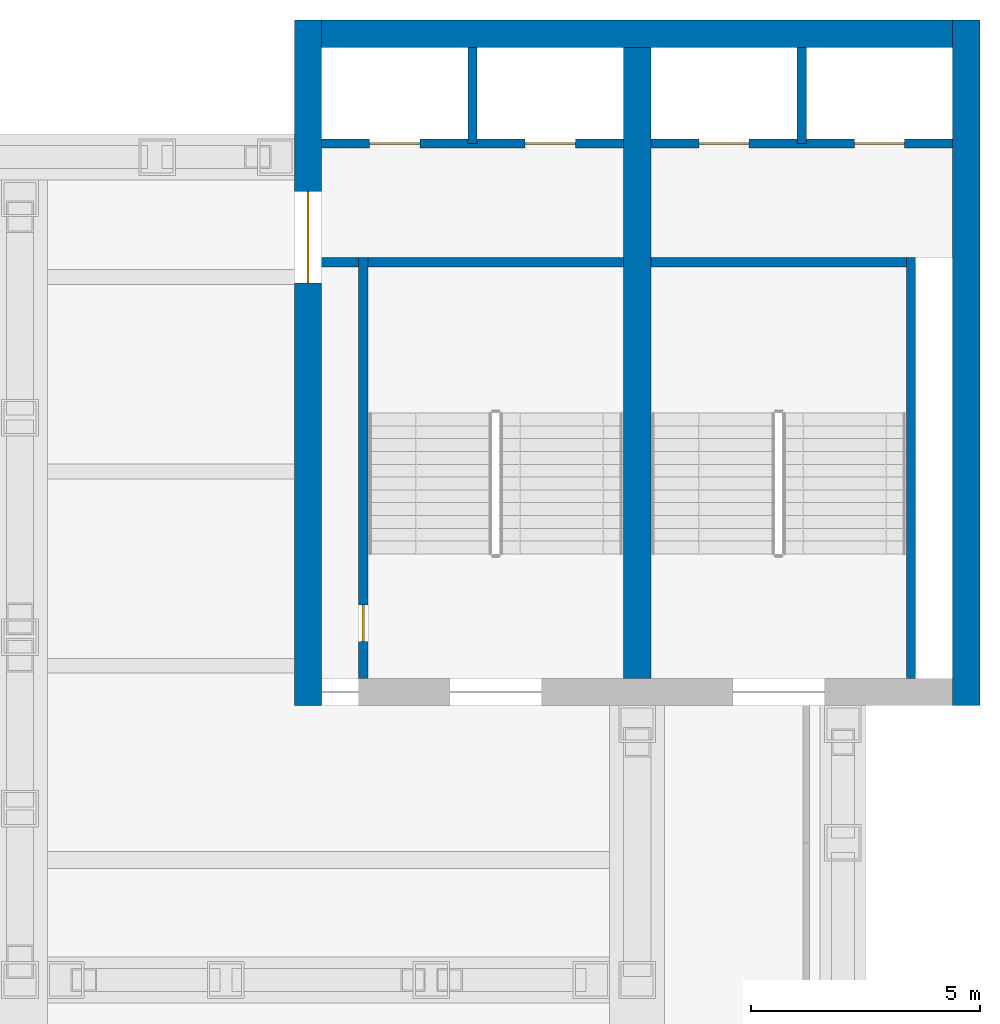
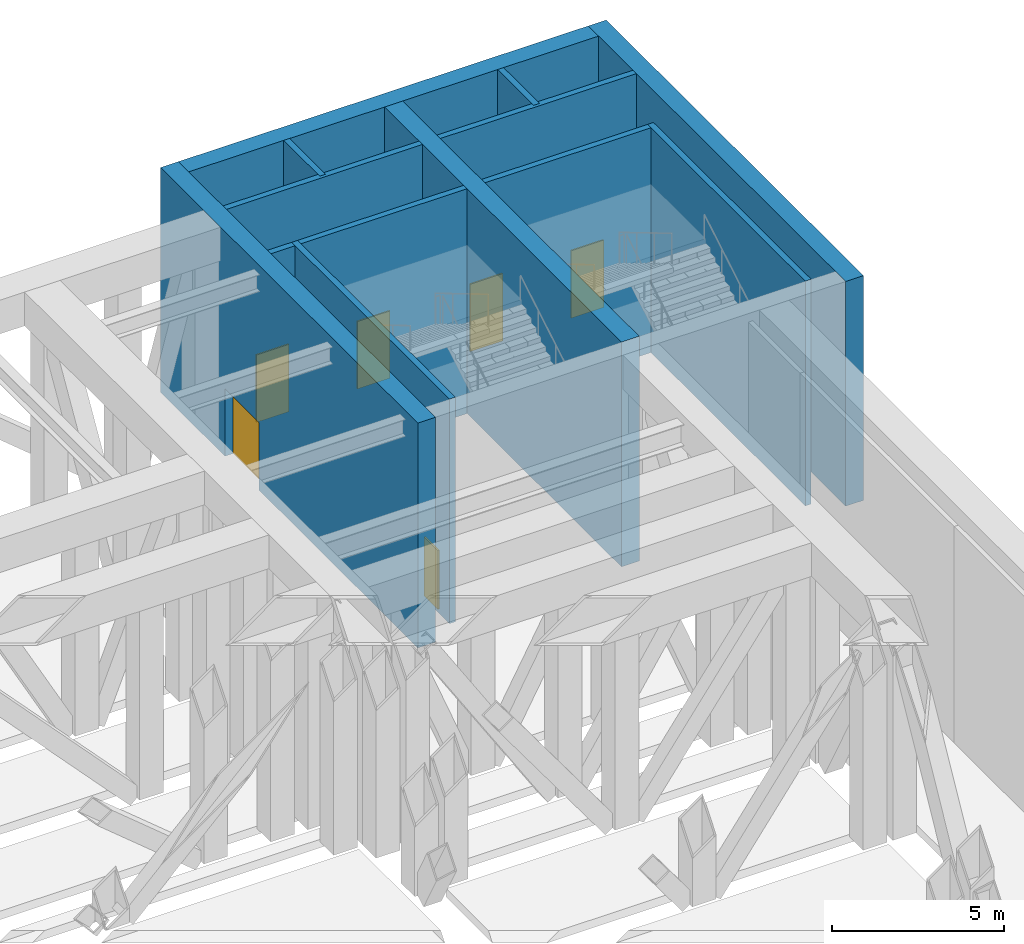
# One storey, part 11 of 20: 13 walls, 6 doors, 6 openings.
"""IFC4 building model written with IfcOpenShell, lengths in metres."""

from ifc_helpers import new_model, si_unit, direction, frame, frame_2d, origin, place, context, subcontext, project, spatial, rectangle, extrude, material, layer, layer_set, type_object, element, fill, save


model = new_model("IFC4")

# Units and contexts
model_context = context("Model", 3, precision=1e-05, world=origin(), true_north=direction((0.0, 1.0)))
body_context = subcontext(model_context, "Body", "Model", "MODEL_VIEW")
ifc_project = project(units=[si_unit("LENGTHUNIT", "METRE"), si_unit("AREAUNIT", "SQUARE_METRE"), si_unit("VOLUMEUNIT", "CUBIC_METRE"), si_unit("PLANEANGLEUNIT", "RADIAN"), si_unit("MASSUNIT", "GRAM", prefix="KILO")], contexts=[model_context])

# Site, building, storey
site_placement = place(None, origin())
site = spatial("IfcSite", under=ifc_project, at=site_placement, CompositionType="ELEMENT")
building_placement = place(site_placement, origin())
building = spatial("IfcBuilding", under=site, at=building_placement, Name="Corbelhall Arena Tower", CompositionType="ELEMENT")
storey_placement = place(building_placement, frame((0.0, 0.0, 44.0)))
storey = spatial("IfcBuildingStorey", under=building, at=storey_placement, Name="L06", CompositionType="ELEMENT", Elevation=44.0)

# Wall
ifc_material_1 = material(Name="Gypsum board on steel studs", Category="steel")
ifc_layer_1 = layer(ifc_material_1, 0.199951171875)
ifc_layer_set_1 = layer_set([ifc_layer_1], Name="AR-ROOM-WALL")
wall_type_1 = type_object("IfcWallType", Name="AR-ROOM-WALL", PredefinedType="PARTITIONING", material=ifc_layer_set_1)
wall_1_placement = place(storey_placement, frame((33.60009765625, 33.699951171875, 0.0), z_axis=(0.0, 0.0, 1.0), x_axis=(1.0, 0.0, 0.0)))
element("IfcWall", 1, at=wall_1_placement, inside=storey, type_object=wall_type_1, Name="Mechanical plant room 01 wall", PredefinedType="PARTITIONING", context=body_context, shape_type="SweptSolid", body=[
    extrude(rectangle(XDim=0.809814453125, YDim=0.199951171875, at=frame_2d((0.40478515625, 0.0))), origin(), (0.0, 0.0, 1.0), 8.0),
])

# Wall, openings, doors
ifc_material_2 = material(Name="Reinforced concrete C40/50", Category="concrete")
ifc_layer_2 = layer(ifc_material_2, 0.199951171875)
ifc_layer_set_2 = layer_set([ifc_layer_2], Name="AR-SHAFT-WALL")
wall_type_2 = type_object("IfcWallType", Name="AR-SHAFT-WALL", PredefinedType="SHEAR", material=ifc_layer_set_2)
wall_2_placement = place(storey_placement, frame((33.60009765625, 36.300048828125, 0.0), z_axis=(0.0, 0.0, 1.0), x_axis=(1.0, 0.0, 0.0)))
wall_2 = element("IfcWall", 2, at=wall_2_placement, inside=storey, type_object=wall_type_2, Name="Lift lobby wall NE", PredefinedType="SHEAR", context=body_context, shape_type="SweptSolid", body=[
    extrude(rectangle(XDim=6.599853515625, YDim=0.199951171875, at=frame_2d((3.2998046875, 0.0))), origin(), (0.0, 0.0, 1.0), 8.0),
])
opening_1_placement = place(wall_2_placement, frame((1.050048828125, 0.0, 0.0)))
opening_1 = element("IfcOpeningElement", 3, at=opening_1_placement, cuts=wall_2, Name="Opening LD0147", PredefinedType="OPENING", context=body_context, shape_type="SweptSolid", body=[
    extrude(rectangle(XDim=1.10009765625, YDim=2.39990234375, at=frame_2d((0.550048828125, 1.199951171875))), frame((0.0, 0.10009765625, 0.0), z_axis=(0.0, -1.0, 0.0), x_axis=(1.0, 0.0, 0.0)), (0.0, 0.0, 1.0), 0.199951171875),
])
opening_2_placement = place(wall_2_placement, frame((4.449951171875, 0.0, 0.0)))
opening_2 = element("IfcOpeningElement", 4, at=opening_2_placement, cuts=wall_2, Name="Opening LD0148", PredefinedType="OPENING", context=body_context, shape_type="SweptSolid", body=[
    extrude(rectangle(XDim=1.10009765625, YDim=2.39990234375, at=frame_2d((0.550048828125, 1.199951171875))), frame((0.0, 0.10009765625, 0.0), z_axis=(0.0, -1.0, 0.0), x_axis=(1.0, 0.0, 0.0)), (0.0, 0.0, 1.0), 0.199951171875),
])
ifc_material_3 = material(Name="Stainless steel A4", Category="steel")
door_type_1 = type_object("IfcDoorType", Name="AR-LANDING-DOOR", OperationType="DOUBLE_DOOR_SLIDING", PredefinedType="DOOR", material=ifc_material_3)
door_1_placement = place(opening_1_placement, origin())
door_1 = element("IfcDoor", 5, at=door_1_placement, inside=storey, type_object=door_type_1, Name="Landing door NE LF1 L06", OperationType="DOUBLE_DOOR_SLIDING", OverallHeight=2.39990234375, OverallWidth=1.10009765625, PredefinedType="DOOR", context=body_context, shape_type="SweptSolid", body=[
    extrude(rectangle(XDim=1.10009765625, YDim=2.39990234375, at=frame_2d((0.550048828125, 1.199951171875))), frame((0.0, 0.02490234375, 0.0), z_axis=(0.0, -1.0, 0.0), x_axis=(1.0, 0.0, 0.0)), (0.0, 0.0, 1.0), 0.050048828125),
])
fill(opening_1, door_1)
door_2_placement = place(opening_2_placement, origin())
door_2 = element("IfcDoor", 6, at=door_2_placement, inside=storey, type_object=door_type_1, Name="Landing door NE LF2 L06", OperationType="DOUBLE_DOOR_SLIDING", OverallHeight=2.39990234375, OverallWidth=1.10009765625, PredefinedType="DOOR", context=body_context, shape_type="SweptSolid", body=[
    extrude(rectangle(XDim=1.10009765625, YDim=2.39990234375, at=frame_2d((0.550048828125, 1.199951171875))), frame((0.0, 0.02490234375, 0.0), z_axis=(0.0, -1.0, 0.0), x_axis=(1.0, 0.0, 0.0)), (0.0, 0.0, 1.0), 0.050048828125),
])
fill(opening_2, door_2)

wall_3_placement = place(storey_placement, frame((40.800048828125, 36.300048828125, 0.0), z_axis=(0.0, 0.0, 1.0), x_axis=(1.0, 0.0, 0.0)))
wall_3 = element("IfcWall", 7, at=wall_3_placement, inside=storey, type_object=wall_type_2, Name="Lift lobby wall NE", PredefinedType="SHEAR", context=body_context, shape_type="SweptSolid", body=[
    extrude(rectangle(XDim=6.599853515625, YDim=0.199951171875, at=frame_2d((3.2998046875, 0.0))), origin(), (0.0, 0.0, 1.0), 8.0),
])
opening_3_placement = place(wall_3_placement, frame((1.050048828125, 0.0, 0.0)))
opening_3 = element("IfcOpeningElement", 8, at=opening_3_placement, cuts=wall_3, Name="Opening LD0149", PredefinedType="OPENING", context=body_context, shape_type="SweptSolid", body=[
    extrude(rectangle(XDim=1.10009765625, YDim=2.39990234375, at=frame_2d((0.550048828125, 1.199951171875))), frame((0.0, 0.10009765625, 0.0), z_axis=(0.0, -1.0, 0.0), x_axis=(1.0, 0.0, 0.0)), (0.0, 0.0, 1.0), 0.199951171875),
])
opening_4_placement = place(wall_3_placement, frame((4.449951171875, 0.0, 0.0)))
opening_4 = element("IfcOpeningElement", 9, at=opening_4_placement, cuts=wall_3, Name="Opening LD0150", PredefinedType="OPENING", context=body_context, shape_type="SweptSolid", body=[
    extrude(rectangle(XDim=1.10009765625, YDim=2.39990234375, at=frame_2d((0.550048828125, 1.199951171875))), frame((0.0, 0.10009765625, 0.0), z_axis=(0.0, -1.0, 0.0), x_axis=(1.0, 0.0, 0.0)), (0.0, 0.0, 1.0), 0.199951171875),
])
door_3_placement = place(opening_3_placement, origin())
door_3 = element("IfcDoor", 10, at=door_3_placement, inside=storey, type_object=door_type_1, Name="Landing door NE LF3 L06", OperationType="DOUBLE_DOOR_SLIDING", OverallHeight=2.39990234375, OverallWidth=1.10009765625, PredefinedType="DOOR", context=body_context, shape_type="SweptSolid", body=[
    extrude(rectangle(XDim=1.10009765625, YDim=2.39990234375, at=frame_2d((0.550048828125, 1.199951171875))), frame((0.0, 0.02490234375, 0.0), z_axis=(0.0, -1.0, 0.0), x_axis=(1.0, 0.0, 0.0)), (0.0, 0.0, 1.0), 0.050048828125),
])
fill(opening_3, door_3)
door_4_placement = place(opening_4_placement, origin())
door_4 = element("IfcDoor", 11, at=door_4_placement, inside=storey, type_object=door_type_1, Name="Landing door NE LF4 L06", OperationType="DOUBLE_DOOR_SLIDING", OverallHeight=2.39990234375, OverallWidth=1.10009765625, PredefinedType="DOOR", context=body_context, shape_type="SweptSolid", body=[
    extrude(rectangle(XDim=1.10009765625, YDim=2.39990234375, at=frame_2d((0.550048828125, 1.199951171875))), frame((0.0, 0.02490234375, 0.0), z_axis=(0.0, -1.0, 0.0), x_axis=(1.0, 0.0, 0.0)), (0.0, 0.0, 1.0), 0.050048828125),
])
fill(opening_4, door_4)

# Walls
for number, where, z_axis, x_axis, name in (
    (12, (36.89990234375, 36.300048828125, 0.0), (0.0, 0.0, 1.0), (0.0, 1.0, 0.0), "Shaft wall NE"),
    (13, (44.10009765625, 36.300048828125, 0.0), (0.0, 0.0, 1.0), (0.0, 1.0, 0.0), "Shaft wall NE"),
):
    element("IfcWall", number, at=place(storey_placement, frame(where, z_axis=z_axis, x_axis=x_axis)), inside=storey, type_object=wall_type_2, Name=name, PredefinedType="SHEAR", context=body_context, shape_type="SweptSolid", body=[
        extrude(rectangle(XDim=2.099853515625, YDim=0.199951171875, at=frame_2d((1.0498046875, 0.0))), origin(), (0.0, 0.0, 1.0), 8.0),
    ])

# Wall, opening, door
ifc_layer_3 = layer(ifc_material_2, 0.199951171875)
ifc_layer_set_3 = layer_set([ifc_layer_3], Name="AR-STAIR-WALL")
wall_type_3 = type_object("IfcWallType", Name="AR-STAIR-WALL", PredefinedType="SOLIDWALL", material=ifc_layer_set_3)
wall_4_placement = place(storey_placement, frame((34.510009765625, 24.60009765625, 0.0), z_axis=(0.0, 0.0, 1.0), x_axis=(0.0, 1.0, 0.0)))
wall_4 = element("IfcWall", 14, at=wall_4_placement, inside=storey, type_object=wall_type_3, Name="Stair AS1 wall", PredefinedType="SOLIDWALL", context=body_context, shape_type="SweptSolid", body=[
    extrude(rectangle(XDim=9.199951171875, YDim=0.199951171875, at=frame_2d((4.60009765625, 0.0))), origin(), (0.0, 0.0, 1.0), 8.0),
])
opening_5_placement = place(wall_4_placement, frame((0.800048828125, 0.0, 0.0)))
opening_5 = element("IfcOpeningElement", 15, at=opening_5_placement, cuts=wall_4, Name="Opening DA0460", PredefinedType="OPENING", context=body_context, shape_type="SweptSolid", body=[
    extrude(rectangle(XDim=0.800048828125, YDim=2.10009765625, at=frame_2d((0.39990234375, 1.050048828125))), frame((0.0, 0.10009765625, 0.0), z_axis=(0.0, -1.0, 0.0), x_axis=(1.0, 0.0, 0.0)), (0.0, 0.0, 1.0), 0.199951171875),
])
ifc_material_4 = material(Name="Steel", Category="steel")
door_type_2 = type_object("IfcDoorType", Name="AR-PLANT-DOOR", OperationType="SINGLE_SWING_LEFT", PredefinedType="DOOR", material=ifc_material_4)
door_5_placement = place(opening_5_placement, origin())
door_5 = element("IfcDoor", 16, at=door_5_placement, inside=storey, type_object=door_type_2, Name="Mechanical plant room 01 stair door", OperationType="SINGLE_SWING_LEFT", OverallHeight=2.10009765625, OverallWidth=0.800048828125, PredefinedType="DOOR", context=body_context, shape_type="SweptSolid", body=[
    extrude(rectangle(XDim=0.800048828125, YDim=2.10009765625, at=frame_2d((0.39990234375, 1.050048828125))), frame((0.0, 0.02490234375, 0.0), z_axis=(0.0, -1.0, 0.0), x_axis=(1.0, 0.0, 0.0)), (0.0, 0.0, 1.0), 0.050048828125),
])
fill(opening_5, door_5)

# Walls
wall_5_placement = place(storey_placement, frame((34.610107421875, 33.699951171875, 0.0), z_axis=(0.0, 0.0, 1.0), x_axis=(1.0, 0.0, 0.0)))
element("IfcWall", 17, at=wall_5_placement, inside=storey, type_object=wall_type_3, Name="Stair AS1 wall", PredefinedType="SOLIDWALL", context=body_context, shape_type="SweptSolid", body=[
    extrude(rectangle(XDim=5.58984375, YDim=0.199951171875, at=frame_2d((2.794921875, 0.0))), origin(), (0.0, 0.0, 1.0), 8.0),
])
wall_6_placement = place(storey_placement, frame((46.489990234375, 24.60009765625, 0.0), z_axis=(0.0, 0.0, 1.0), x_axis=(0.0, 1.0, 0.0)))
element("IfcWall", 18, at=wall_6_placement, inside=storey, type_object=wall_type_3, Name="Stair AS2 wall", PredefinedType="SOLIDWALL", context=body_context, shape_type="SweptSolid", body=[
    extrude(rectangle(XDim=9.199951171875, YDim=0.199951171875, at=frame_2d((4.60009765625, 0.0))), origin(), (0.0, 0.0, 1.0), 8.0),
])
wall_7_placement = place(storey_placement, frame((40.800048828125, 33.699951171875, 0.0), z_axis=(0.0, 0.0, 1.0), x_axis=(1.0, 0.0, 0.0)))
element("IfcWall", 19, at=wall_7_placement, inside=storey, type_object=wall_type_3, Name="Stair AS2 wall", PredefinedType="SOLIDWALL", context=body_context, shape_type="SweptSolid", body=[
    extrude(rectangle(XDim=5.58984375, YDim=0.199951171875, at=frame_2d((2.794921875, 0.0))), origin(), (0.0, 0.0, 1.0), 8.0),
])
ifc_material_5 = material(Name="Concrete C80/95", Category="concrete")
ifc_layer_4 = layer(ifc_material_5, 0.60009765625)
ifc_layer_set_4 = layer_set([ifc_layer_4], Name="PO-CORE-WALL")
wall_type_4 = type_object("IfcWallType", Name="PO-CORE-WALL", PredefinedType="SHEAR", material=ifc_layer_set_4)
wall_8_placement = place(storey_placement, frame((33.60009765625, 38.699951171875, 0.0), z_axis=(0.0, 0.0, 1.0), x_axis=(1.0, 0.0, 0.0)))
element("IfcWall", 20, at=wall_8_placement, inside=storey, type_object=wall_type_4, Name="CORE NE WALL N L06", PredefinedType="SHEAR", context=body_context, shape_type="SweptSolid", body=[
    extrude(rectangle(XDim=13.7998046875, YDim=0.60009765625, at=frame_2d((6.89990234375, 0.0))), origin(), (0.0, 0.0, 1.0), 8.0),
])

# Wall, opening, door
wall_9_placement = place(storey_placement, frame((33.300048828125, 24.0, 0.0), z_axis=(0.0, 0.0, 1.0), x_axis=(0.0, 1.0, 0.0)))
wall_9 = element("IfcWall", 21, at=wall_9_placement, inside=storey, type_object=wall_type_4, Name="CORE NE WALL W L06", PredefinedType="SHEAR", context=body_context, shape_type="SweptSolid", body=[
    extrude(rectangle(XDim=15.0, YDim=0.60009765625, at=frame_2d((7.5, 0.0))), origin(), (0.0, 0.0, 1.0), 8.0),
])
opening_6_placement = place(wall_9_placement, frame((9.25, 0.0, 0.0)))
opening_6 = element("IfcOpeningElement", 22, at=opening_6_placement, cuts=wall_9, Name="Opening DA0151", PredefinedType="OPENING", context=body_context, shape_type="SweptSolid", body=[
    extrude(rectangle(XDim=2.0, YDim=2.39990234375, at=frame_2d((1.0, 1.199951171875))), frame((0.0, 0.300048828125, 0.0), z_axis=(0.0, -1.0, 0.0), x_axis=(1.0, 0.0, 0.0)), (0.0, 0.0, 1.0), 0.60009765625),
])
ifc_material_6 = material(Name="Steel and glass", Category="steel")
door_type_3 = type_object("IfcDoorType", Name="AR-CORE-DOOR", OperationType="DOUBLE_DOOR_SINGLE_SWING", PredefinedType="DOOR", material=ifc_material_6)
door_6_placement = place(opening_6_placement, origin())
door_6 = element("IfcDoor", 23, at=door_6_placement, inside=storey, type_object=door_type_3, Name="Core lobby door NE L06", OperationType="DOUBLE_DOOR_SINGLE_SWING", OverallHeight=2.39990234375, OverallWidth=2.0, PredefinedType="DOOR", context=body_context, shape_type="SweptSolid", body=[
    extrude(rectangle(XDim=2.0, YDim=2.39990234375, at=frame_2d((1.0, 1.199951171875))), frame((0.0, 0.02490234375, 0.0), z_axis=(0.0, -1.0, 0.0), x_axis=(1.0, 0.0, 0.0)), (0.0, 0.0, 1.0), 0.050048828125),
])
fill(opening_6, door_6)

# Walls
wall_10_placement = place(storey_placement, frame((47.699951171875, 24.0, 0.0), z_axis=(0.0, 0.0, 1.0), x_axis=(0.0, 1.0, 0.0)))
element("IfcWall", 24, at=wall_10_placement, inside=storey, type_object=wall_type_4, Name="CORE NE WALL E L06", PredefinedType="SHEAR", context=body_context, shape_type="SweptSolid", body=[
    extrude(rectangle(XDim=15.0, YDim=0.60009765625, at=frame_2d((7.5, 0.0))), origin(), (0.0, 0.0, 1.0), 8.0),
])
wall_11_placement = place(storey_placement, frame((40.5, 24.60009765625, 0.0), z_axis=(0.0, 0.0, 1.0), x_axis=(0.0, 1.0, 0.0)))
element("IfcWall", 25, at=wall_11_placement, inside=storey, type_object=wall_type_4, Name="CORE NE WALL D L06", PredefinedType="SHEAR", context=body_context, shape_type="SweptSolid", body=[
    extrude(rectangle(XDim=13.7998046875, YDim=0.60009765625, at=frame_2d((6.89990234375, 0.0))), origin(), (0.0, 0.0, 1.0), 8.0),
])

save(model, "model.ifc")
